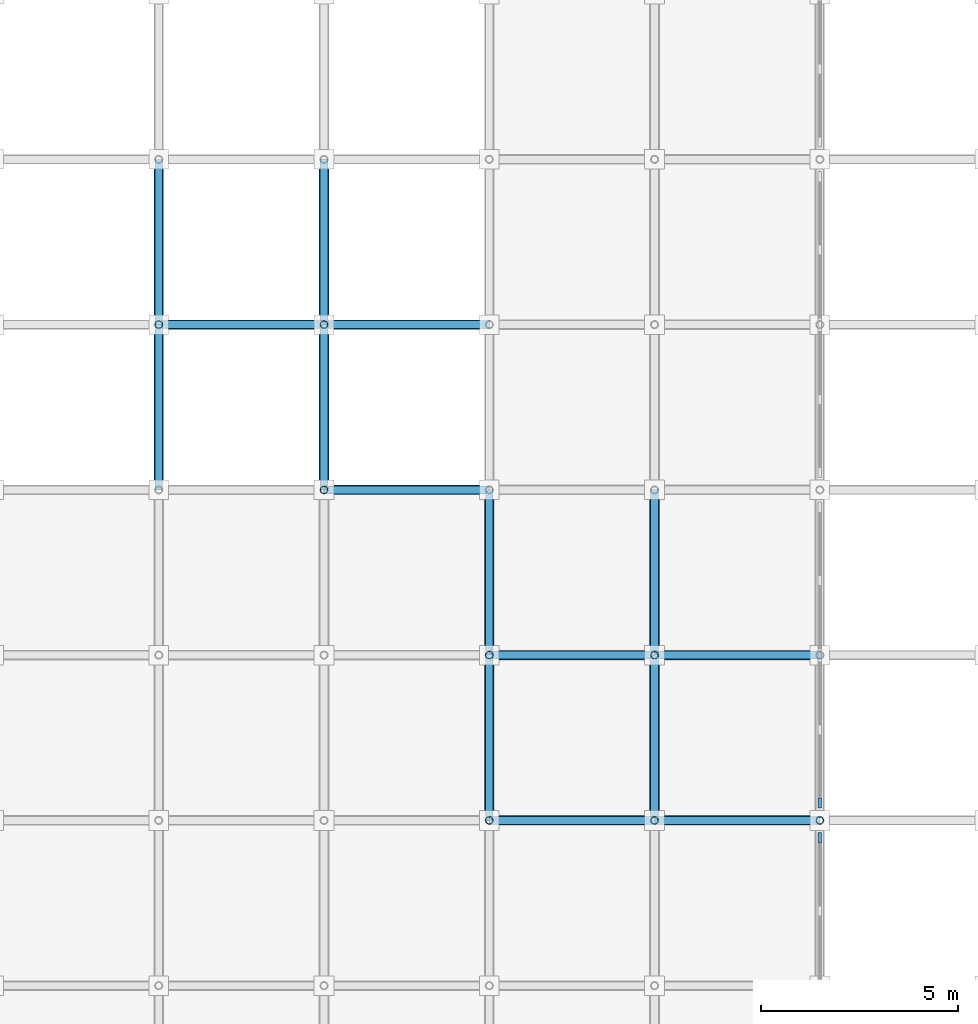
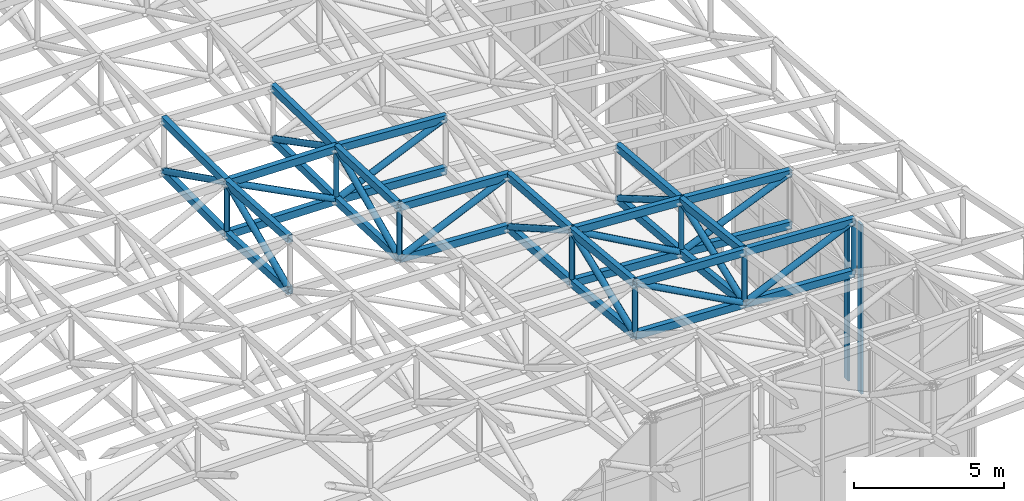
# One storey, part 38 of 123: 55 members, 2 elements without a shape of their own.
"""IFC4 building model written with IfcOpenShell, lengths in metres."""

from ifc_helpers import new_model, si_unit, direction, frame, origin, origin_2d, place, context, subcontext, project, spatial, rectangle, hollow_rectangle, hollow_circle, extrude, material, material_profile, profile_set, type_object, element, aggregate, save


model = new_model("IFC4")

# Units and contexts
model_context = context("Model", 3, precision=1e-05, world=origin(), true_north=direction((0.0, 1.0)))
body_context = subcontext(model_context, "Body", "Model", "MODEL_VIEW")
ifc_project = project(units=[si_unit("LENGTHUNIT", "METRE"), si_unit("AREAUNIT", "SQUARE_METRE"), si_unit("VOLUMEUNIT", "CUBIC_METRE"), si_unit("PLANEANGLEUNIT", "RADIAN"), si_unit("MASSUNIT", "GRAM", prefix="KILO")], contexts=[model_context])

# Site, building, storey
site_placement = place(None, origin())
site = spatial("IfcSite", under=ifc_project, at=site_placement, CompositionType="ELEMENT")
building_placement = place(site_placement, origin())
building = spatial("IfcBuilding", under=site, at=building_placement, Name="Cumbredor Promenade Congress Hotel", CompositionType="ELEMENT")
storey_placement = place(building_placement, frame((0.0, 0.0, 11.760009765625)))
storey = spatial("IfcBuildingStorey", under=building, at=storey_placement, Name="L03", CompositionType="ELEMENT", Elevation=11.760009765625)

# Members
ifc_material_1 = material(Name="Steel ASTM A500 Grade C", Category="steel")
ifc_material_profile_1 = material_profile(ifc_material_1, hollow_rectangle(XDim=0.199951171875, YDim=0.300048828125, WallThickness=0.012451171875, at=origin_2d()), Name="HSS 300x200x12.5")
ifc_profile_set_1 = profile_set([ifc_material_profile_1], Name="Steel ASTM A500 Grade C")
member_type_1 = type_object("IfcMemberType", Name="Ballroom Roof Space Frame Chord", PredefinedType="CHORD", material=ifc_profile_set_1)
for number, where, z_axis, x_axis, name in (
    (1, (176.39990234375, 16.800048828125, 7.09130859375), (0.999137496102, 0.0, -0.041524256552), (0.0, 1.0, 0.0), "Grand Ballroom Pavilion X Top Chord 10.5"),
    (2, (176.39990234375, 16.800048828125, 4.9912109375), (0.999137496102, 0.0, -0.041524256552), (0.0, 1.0, 0.0), "Grand Ballroom Pavilion X Bottom Chord 10.5"),
):
    element("IfcMember", number, at=place(storey_placement, frame(where, z_axis=z_axis, x_axis=x_axis)), inside=storey, type_object=member_type_1, Name=name, PredefinedType="CHORD", context=body_context, shape_type="SweptSolid", body=[
        extrude(hollow_rectangle(XDim=0.199951171875, YDim=0.300048828125, WallThickness=0.012451171875, at=origin_2d()), origin(), (0.0, 0.0, 1.0), 4.203857421875),
    ])
for number, where, z_axis, x_axis, name in (
    (3, (180.60009765625, 16.800048828125, 6.916748046875), (0.998569958899, 0.0, -0.05346061339), (0.0, 1.0, 0.0), "Grand Ballroom Pavilion X Top Chord 11.5"),
    (4, (180.60009765625, 16.800048828125, 4.816650390625), (0.998573055983, 0.0, -0.05340273275), (0.0, 1.0, 0.0), "Grand Ballroom Pavilion X Bottom Chord 11.5"),
):
    element("IfcMember", number, at=place(storey_placement, frame(where, z_axis=z_axis, x_axis=x_axis)), inside=storey, type_object=member_type_1, Name=name, PredefinedType="CHORD", context=body_context, shape_type="SweptSolid", body=[
        extrude(hollow_rectangle(XDim=0.199951171875, YDim=0.300048828125, WallThickness=0.012451171875, at=origin_2d()), origin(), (0.0, 0.0, 1.0), 4.2060546875),
    ])
for number, where, z_axis, x_axis, name in (
    (5, (176.39990234375, 21.0, 6.68212890625), (0.998209144238, 0.0, -0.059820601471), (0.0, 1.0, 0.0), "Grand Ballroom Pavilion X Top Chord 10.6"),
    (6, (176.39990234375, 21.0, 4.582275390625), (0.998205677885, 0.0, -0.05987841546), (0.0, 1.0, 0.0), "Grand Ballroom Pavilion X Bottom Chord 10.6"),
):
    element("IfcMember", number, at=place(storey_placement, frame(where, z_axis=z_axis, x_axis=x_axis)), inside=storey, type_object=member_type_1, Name=name, PredefinedType="CHORD", context=body_context, shape_type="SweptSolid", body=[
        extrude(hollow_rectangle(XDim=0.199951171875, YDim=0.300048828125, WallThickness=0.012451171875, at=origin_2d()), origin(), (0.0, 0.0, 1.0), 4.207763671875),
    ])
for number, where, z_axis, x_axis, name in (
    (7, (180.60009765625, 21.0, 6.430419921875), (0.997042541012, 0.0, -0.076851619449), (0.0, 1.0, 0.0), "Grand Ballroom Pavilion X Top Chord 11.6"),
    (8, (180.60009765625, 21.0, 4.330322265625), (0.997042541012, 0.0, -0.076851619449), (0.0, 1.0, 0.0), "Grand Ballroom Pavilion X Bottom Chord 11.6"),
):
    element("IfcMember", number, at=place(storey_placement, frame(where, z_axis=z_axis, x_axis=x_axis)), inside=storey, type_object=member_type_1, Name=name, PredefinedType="CHORD", context=body_context, shape_type="SweptSolid", body=[
        extrude(hollow_rectangle(XDim=0.199951171875, YDim=0.300048828125, WallThickness=0.012451171875, at=origin_2d()), origin(), (0.0, 0.0, 1.0), 4.21240234375),
    ])
for number, where, z_axis, x_axis, name in (
    (9, (172.199951171875, 25.199951171875, 6.5966796875), (0.998616064852, 0.0, -0.052592347541), (0.0, 1.0, 0.0), "Grand Ballroom Pavilion X Top Chord 9.7"),
    (10, (172.199951171875, 25.199951171875, 4.49658203125), (0.998616064852, 0.0, -0.052592347541), (0.0, 1.0, 0.0), "Grand Ballroom Pavilion X Bottom Chord 9.7"),
):
    element("IfcMember", number, at=place(storey_placement, frame(where, z_axis=z_axis, x_axis=x_axis)), inside=storey, type_object=member_type_1, Name=name, PredefinedType="CHORD", context=body_context, shape_type="SweptSolid", body=[
        extrude(hollow_rectangle(XDim=0.199951171875, YDim=0.300048828125, WallThickness=0.012451171875, at=origin_2d()), origin(), (0.0, 0.0, 1.0), 4.205810546875),
    ])
for number, where, z_axis, x_axis, name in (
    (11, (168.0, 29.39990234375, 6.48876953125), (0.999864716024, 0.0, -0.016448393573), (0.0, 1.0, 0.0), "Grand Ballroom Pavilion X Top Chord 8.8"),
    (12, (168.0, 29.39990234375, 4.388671875), (0.999865670213, 0.0, -0.016390287682), (0.0, 1.0, 0.0), "Grand Ballroom Pavilion X Bottom Chord 8.8"),
):
    element("IfcMember", number, at=place(storey_placement, frame(where, z_axis=z_axis, x_axis=x_axis)), inside=storey, type_object=member_type_1, Name=name, PredefinedType="CHORD", context=body_context, shape_type="SweptSolid", body=[
        extrude(hollow_rectangle(XDim=0.199951171875, YDim=0.300048828125, WallThickness=0.012451171875, at=origin_2d()), origin(), (0.0, 0.0, 1.0), 4.200439453125),
    ])
for number, where, z_axis, x_axis, name in (
    (13, (172.199951171875, 29.39990234375, 6.419677734375), (0.998250278263, 0.0, -0.059130211797), (0.0, 1.0, 0.0), "Grand Ballroom Pavilion X Top Chord 9.8"),
    (14, (172.199951171875, 29.39990234375, 4.31982421875), (0.998246851415, 0.0, -0.059188036298), (0.0, 1.0, 0.0), "Grand Ballroom Pavilion X Bottom Chord 9.8"),
):
    element("IfcMember", number, at=place(storey_placement, frame(where, z_axis=z_axis, x_axis=x_axis)), inside=storey, type_object=member_type_1, Name=name, PredefinedType="CHORD", context=body_context, shape_type="SweptSolid", body=[
        extrude(hollow_rectangle(XDim=0.199951171875, YDim=0.300048828125, WallThickness=0.012451171875, at=origin_2d()), origin(), (0.0, 0.0, 1.0), 4.207275390625),
    ])
for number, where, z_axis, x_axis, name in (
    (15, (168.0, 25.199951171875, 6.7294921875), (0.0, 0.998361497738, -0.057221672776), (-1.0, 0.0, 0.0), "Grand Ballroom Pavilion Y Top Chord 8.7"),
    (16, (168.0, 25.199951171875, 4.62939453125), (0.0, 0.998361497738, -0.057221672776), (-1.0, 0.0, 0.0), "Grand Ballroom Pavilion Y Bottom Chord 8.7"),
):
    element("IfcMember", number, at=place(storey_placement, frame(where, z_axis=z_axis, x_axis=x_axis)), inside=storey, type_object=member_type_1, Name=name, PredefinedType="CHORD", context=body_context, shape_type="SweptSolid", body=[
        extrude(hollow_rectangle(XDim=0.199951171875, YDim=0.300048828125, WallThickness=0.012451171875, at=origin_2d()), origin(), (0.0, 0.0, 1.0), 4.206787109375),
    ])
for number, where, z_axis, x_axis, name in (
    (17, (168.0, 29.39990234375, 6.48876953125), (0.0, 0.999999998311, 5.8126017e-05), (-1.0, 0.0, 0.0), "Grand Ballroom Pavilion Y Top Chord 8.8"),
    (18, (168.0, 29.39990234375, 4.388671875), (0.0, 0.999999993243, 0.000116252034), (-1.0, 0.0, 0.0), "Grand Ballroom Pavilion Y Bottom Chord 8.8"),
):
    element("IfcMember", number, at=place(storey_placement, frame(where, z_axis=z_axis, x_axis=x_axis)), inside=storey, type_object=member_type_1, Name=name, PredefinedType="CHORD", context=body_context, shape_type="SweptSolid", body=[
        extrude(hollow_rectangle(XDim=0.199951171875, YDim=0.300048828125, WallThickness=0.012451171875, at=origin_2d()), origin(), (0.0, 0.0, 1.0), 4.2001953125),
    ])
for number, where, z_axis, x_axis, name in (
    (19, (172.199951171875, 25.199951171875, 6.5966796875), (0.0, 0.999113130752, -0.042106436075), (-1.0, 0.0, 0.0), "Grand Ballroom Pavilion Y Top Chord 9.7"),
    (20, (172.199951171875, 25.199951171875, 4.49658203125), (0.0, 0.999115572358, -0.042048460989), (-1.0, 0.0, 0.0), "Grand Ballroom Pavilion Y Bottom Chord 9.7"),
):
    element("IfcMember", number, at=place(storey_placement, frame(where, z_axis=z_axis, x_axis=x_axis)), inside=storey, type_object=member_type_1, Name=name, PredefinedType="CHORD", context=body_context, shape_type="SweptSolid", body=[
        extrude(hollow_rectangle(XDim=0.199951171875, YDim=0.300048828125, WallThickness=0.012451171875, at=origin_2d()), origin(), (0.0, 0.0, 1.0), 4.20361328125),
    ])
for number, where, z_axis, x_axis, name in (
    (21, (172.199951171875, 29.39990234375, 6.419677734375), (0.0, 0.999778698634, -0.021036961689), (-1.0, 0.0, 0.0), "Grand Ballroom Pavilion Y Top Chord 9.8"),
    (22, (172.199951171875, 29.39990234375, 4.31982421875), (0.0, 0.999778698634, -0.021036961689), (-1.0, 0.0, 0.0), "Grand Ballroom Pavilion Y Bottom Chord 9.8"),
):
    element("IfcMember", number, at=place(storey_placement, frame(where, z_axis=z_axis, x_axis=x_axis)), inside=storey, type_object=member_type_1, Name=name, PredefinedType="CHORD", context=body_context, shape_type="SweptSolid", body=[
        extrude(hollow_rectangle(XDim=0.199951171875, YDim=0.300048828125, WallThickness=0.012451171875, at=origin_2d()), origin(), (0.0, 0.0, 1.0), 4.201171875),
    ])
for number, where, z_axis, x_axis, name in (
    (23, (176.39990234375, 16.800048828125, 7.09130859375), (0.0, 0.995287716513, -0.09696577416), (-1.0, 0.0, 0.0), "Grand Ballroom Pavilion Y Top Chord 10.5"),
    (24, (176.39990234375, 16.800048828125, 4.9912109375), (0.0, 0.995293298459, -0.096908462182), (-1.0, 0.0, 0.0), "Grand Ballroom Pavilion Y Bottom Chord 10.5"),
):
    element("IfcMember", number, at=place(storey_placement, frame(where, z_axis=z_axis, x_axis=x_axis)), inside=storey, type_object=member_type_1, Name=name, PredefinedType="CHORD", context=body_context, shape_type="SweptSolid", body=[
        extrude(hollow_rectangle(XDim=0.199951171875, YDim=0.300048828125, WallThickness=0.012451171875, at=origin_2d()), origin(), (0.0, 0.0, 1.0), 4.2197265625),
    ])
for number, where, z_axis, x_axis, name in (
    (25, (176.39990234375, 21.0, 6.68212890625), (0.0, 0.997345340249, -0.072816703328), (-1.0, 0.0, 0.0), "Grand Ballroom Pavilion Y Top Chord 10.6"),
    (26, (176.39990234375, 21.0, 4.582275390625), (0.0, 0.997341128252, -0.072874370645), (-1.0, 0.0, 0.0), "Grand Ballroom Pavilion Y Bottom Chord 10.6"),
):
    element("IfcMember", number, at=place(storey_placement, frame(where, z_axis=z_axis, x_axis=x_axis)), inside=storey, type_object=member_type_1, Name=name, PredefinedType="CHORD", context=body_context, shape_type="SweptSolid", body=[
        extrude(hollow_rectangle(XDim=0.199951171875, YDim=0.300048828125, WallThickness=0.012451171875, at=origin_2d()), origin(), (0.0, 0.0, 1.0), 4.211181640625),
    ])
for number, where, z_axis, x_axis, name in (
    (27, (180.60009765625, 16.800048828125, 6.916748046875), (0.0, 0.993362575752, -0.115025184613), (-1.0, 0.0, 0.0), "Grand Ballroom Pavilion Y Top Chord 11.5"),
    (28, (180.60009765625, 16.800048828125, 4.816650390625), (0.0, 0.993362575752, -0.115025184613), (-1.0, 0.0, 0.0), "Grand Ballroom Pavilion Y Bottom Chord 11.5"),
):
    element("IfcMember", number, at=place(storey_placement, frame(where, z_axis=z_axis, x_axis=x_axis)), inside=storey, type_object=member_type_1, Name=name, PredefinedType="CHORD", context=body_context, shape_type="SweptSolid", body=[
        extrude(hollow_rectangle(XDim=0.199951171875, YDim=0.300048828125, WallThickness=0.012451171875, at=origin_2d()), origin(), (0.0, 0.0, 1.0), 4.22802734375),
    ])
for number, where, z_axis, x_axis, name in (
    (29, (180.60009765625, 21.0, 6.430419921875), (0.0, 0.996250143488, -0.086519660197), (-1.0, 0.0, 0.0), "Grand Ballroom Pavilion Y Top Chord 11.6"),
    (30, (180.60009765625, 21.0, 4.330322265625), (0.0, 0.996250143488, -0.086519660197), (-1.0, 0.0, 0.0), "Grand Ballroom Pavilion Y Bottom Chord 11.6"),
):
    element("IfcMember", number, at=place(storey_placement, frame(where, z_axis=z_axis, x_axis=x_axis)), inside=storey, type_object=member_type_1, Name=name, PredefinedType="CHORD", context=body_context, shape_type="SweptSolid", body=[
        extrude(hollow_rectangle(XDim=0.199951171875, YDim=0.300048828125, WallThickness=0.012451171875, at=origin_2d()), origin(), (0.0, 0.0, 1.0), 4.2158203125),
    ])

# Curtain wall, member
ifc_material_2 = material(Name="Thermally broken anodized aluminium and low-E glass", Category="aluminium")
curtain_wall_type = type_object("IfcCurtainWallType", Name="Stepped Pavilion Clerestory Curtain Wall CW-06", PredefinedType="NOTDEFINED", material=ifc_material_2)
curtain_wall_1_placement = place(storey_placement, origin())
curtain_wall_1 = element("IfcCurtainWall", 31, at=curtain_wall_1_placement, inside=storey, type_object=curtain_wall_type, Name="Grand Ballroom Pavilion E Glazed Clerestory 2", PredefinedType="NOTDEFINED")
ifc_material_3 = material(Name="Thermally broken anodized aluminium", Category="aluminium")
ifc_material_profile_2 = material_profile(ifc_material_3, rectangle(XDim=0.0849609375, YDim=0.260009765625, at=origin_2d()), Name="ALU MULLION CLERESTORY 85x260")
ifc_profile_set_2 = profile_set([ifc_material_profile_2], Name="Thermally broken anodized aluminium")
member_type_2 = type_object("IfcMemberType", Name="Curtain Wall Mullion ML-04", PredefinedType="MULLION", material=ifc_profile_set_2)
member_1_placement = place(storey_placement, frame((184.800048828125, 16.360107421875, -0.01806640625), z_axis=(0.0, 0.0, 1.0), x_axis=(1.0, 0.0, 0.0)))
member_1 = element("IfcMember", 32, at=member_1_placement, type_object=member_type_2, Name="Grand Ballroom Pavilion E Glazed Clerestory 2 Mullion 3", PredefinedType="MULLION", context=body_context, shape_type="SweptSolid", body=[
    extrude(rectangle(XDim=0.0849609375, YDim=0.260009765625, at=origin_2d()), origin(), (0.0, 0.0, 1.0), 6.885986328125),
])
aggregate(curtain_wall_1, [member_1])

curtain_wall_2_placement = place(storey_placement, origin())
curtain_wall_2 = element("IfcCurtainWall", 33, at=curtain_wall_2_placement, inside=storey, type_object=curtain_wall_type, Name="Grand Ballroom Pavilion E Glazed Clerestory 3", PredefinedType="NOTDEFINED")
member_2_placement = place(storey_placement, frame((184.800048828125, 17.239990234375, -0.01806640625), z_axis=(0.0, 0.0, 1.0), x_axis=(1.0, 0.0, 0.0)))
member_2 = element("IfcMember", 34, at=member_2_placement, type_object=member_type_2, Name="Grand Ballroom Pavilion E Glazed Clerestory 3 Mullion 1", PredefinedType="MULLION", context=body_context, shape_type="SweptSolid", body=[
    extrude(rectangle(XDim=0.0849609375, YDim=0.260009765625, at=origin_2d()), origin(), (0.0, 0.0, 1.0), 6.300537109375),
])
aggregate(curtain_wall_2, [member_2])

# Members
ifc_material_profile_3 = material_profile(ifc_material_1, hollow_circle(Radius=0.122314453125, WallThickness=0.012451171875, at=origin_2d()), Name="CHS 244.5x12.5")
ifc_profile_set_3 = profile_set([ifc_material_profile_3], Name="Steel ASTM A500 Grade C")
member_type_3 = type_object("IfcMemberType", Name="Space Frame Web Diagonal D2", PredefinedType="BRACE", material=ifc_profile_set_3)
member_3_placement = place(storey_placement, frame((176.39990234375, 16.800048828125, 7.09130859375), z_axis=(0.879331206607, 0.0, -0.476210698207), x_axis=(0.0, 1.0, 0.0)))
element("IfcMember", 35, at=member_3_placement, inside=storey, type_object=member_type_3, Name="Grand Ballroom Pavilion X Web Diagonal 10.5", PredefinedType="BRACE", context=body_context, shape_type="SweptSolid", body=[
    extrude(hollow_circle(Radius=0.122314453125, WallThickness=0.012451171875, at=origin_2d()), origin(), (0.0, 0.0, 1.0), 4.776611328125),
])
member_4_placement = place(storey_placement, frame((180.60009765625, 16.800048828125, 4.816650390625), z_axis=(0.913116358877, 0.0, 0.407699049732), x_axis=(0.0, 1.0, 0.0)))
element("IfcMember", 36, at=member_4_placement, inside=storey, type_object=member_type_3, Name="Grand Ballroom Pavilion X Web Diagonal 11.5", PredefinedType="BRACE", context=body_context, shape_type="SweptSolid", body=[
    extrude(hollow_circle(Radius=0.122314453125, WallThickness=0.012451171875, at=origin_2d()), origin(), (0.0, 0.0, 1.0), 4.599609375),
])
member_5_placement = place(storey_placement, frame((176.39990234375, 21.0, 6.68212890625), z_axis=(0.872532824766, 0.0, -0.488555492965), x_axis=(0.0, 1.0, 0.0)))
element("IfcMember", 37, at=member_5_placement, inside=storey, type_object=member_type_3, Name="Grand Ballroom Pavilion X Web Diagonal 10.6", PredefinedType="BRACE", context=body_context, shape_type="SweptSolid", body=[
    extrude(hollow_circle(Radius=0.122314453125, WallThickness=0.012451171875, at=origin_2d()), origin(), (0.0, 0.0, 1.0), 4.813720703125),
])
member_6_placement = place(storey_placement, frame((180.60009765625, 21.0, 4.330322265625), z_axis=(0.921009363818, 0.0, 0.389540436618), x_axis=(0.0, 1.0, 0.0)))
element("IfcMember", 38, at=member_6_placement, inside=storey, type_object=member_type_3, Name="Grand Ballroom Pavilion X Web Diagonal 11.6", PredefinedType="BRACE", context=body_context, shape_type="SweptSolid", body=[
    extrude(hollow_circle(Radius=0.122314453125, WallThickness=0.012451171875, at=origin_2d()), origin(), (0.0, 0.0, 1.0), 4.56005859375),
])
member_7_placement = place(storey_placement, frame((172.199951171875, 25.199951171875, 4.49658203125), z_axis=(0.912819813426, 0.0, 0.408362569559), x_axis=(0.0, 1.0, 0.0)))
element("IfcMember", 39, at=member_7_placement, inside=storey, type_object=member_type_3, Name="Grand Ballroom Pavilion X Web Diagonal 9.7", PredefinedType="BRACE", context=body_context, shape_type="SweptSolid", body=[
    extrude(hollow_circle(Radius=0.122314453125, WallThickness=0.012451171875, at=origin_2d()), origin(), (0.0, 0.0, 1.0), 4.60107421875),
])
member_8_placement = place(storey_placement, frame((168.0, 29.39990234375, 6.48876953125), z_axis=(0.888514704461, 0.0, -0.458848144767), x_axis=(0.0, 1.0, 0.0)))
element("IfcMember", 40, at=member_8_placement, inside=storey, type_object=member_type_3, Name="Grand Ballroom Pavilion X Web Diagonal 8.8", PredefinedType="BRACE", context=body_context, shape_type="SweptSolid", body=[
    extrude(hollow_circle(Radius=0.122314453125, WallThickness=0.012451171875, at=origin_2d()), origin(), (0.0, 0.0, 1.0), 4.72705078125),
])
member_9_placement = place(storey_placement, frame((172.199951171875, 29.39990234375, 4.31982421875), z_axis=(0.915066223457, 0.0, 0.403303616012), x_axis=(0.0, 1.0, 0.0)))
element("IfcMember", 41, at=member_9_placement, inside=storey, type_object=member_type_3, Name="Grand Ballroom Pavilion X Web Diagonal 9.8", PredefinedType="BRACE", context=body_context, shape_type="SweptSolid", body=[
    extrude(hollow_circle(Radius=0.122314453125, WallThickness=0.012451171875, at=origin_2d()), origin(), (0.0, 0.0, 1.0), 4.58984375),
])
member_10_placement = place(storey_placement, frame((168.0, 25.199951171875, 4.62939453125), z_axis=(0.0, 0.914398020094, 0.40481632977), x_axis=(-1.0, 0.0, 0.0)))
element("IfcMember", 42, at=member_10_placement, inside=storey, type_object=member_type_3, Name="Grand Ballroom Pavilion Y Web Diagonal 8.7", PredefinedType="BRACE", context=body_context, shape_type="SweptSolid", body=[
    extrude(hollow_circle(Radius=0.122314453125, WallThickness=0.012451171875, at=origin_2d()), origin(), (0.0, 0.0, 1.0), 4.593017578125),
])
member_11_placement = place(storey_placement, frame((168.0, 29.39990234375, 6.48876953125), z_axis=(0.0, 0.894468780658, -0.447130406513), x_axis=(-1.0, 0.0, 0.0)))
element("IfcMember", 43, at=member_11_placement, inside=storey, type_object=member_type_3, Name="Grand Ballroom Pavilion Y Web Diagonal 8.8", PredefinedType="BRACE", context=body_context, shape_type="SweptSolid", body=[
    extrude(hollow_circle(Radius=0.122314453125, WallThickness=0.012451171875, at=origin_2d()), origin(), (0.0, 0.0, 1.0), 4.69580078125),
])
member_12_placement = place(storey_placement, frame((172.199951171875, 25.199951171875, 4.49658203125), z_axis=(0.0, 0.909219071228, 0.416318004073), x_axis=(-1.0, 0.0, 0.0)))
element("IfcMember", 44, at=member_12_placement, inside=storey, type_object=member_type_3, Name="Grand Ballroom Pavilion Y Web Diagonal 9.7", PredefinedType="BRACE", context=body_context, shape_type="SweptSolid", body=[
    extrude(hollow_circle(Radius=0.122314453125, WallThickness=0.012451171875, at=origin_2d()), origin(), (0.0, 0.0, 1.0), 4.619384765625),
])
member_13_placement = place(storey_placement, frame((172.199951171875, 29.39990234375, 6.419677734375), z_axis=(0.0, 0.886859518815, -0.462039169213), x_axis=(-1.0, 0.0, 0.0)))
element("IfcMember", 45, at=member_13_placement, inside=storey, type_object=member_type_3, Name="Grand Ballroom Pavilion Y Web Diagonal 9.8", PredefinedType="BRACE", context=body_context, shape_type="SweptSolid", body=[
    extrude(hollow_circle(Radius=0.122314453125, WallThickness=0.012451171875, at=origin_2d()), origin(), (0.0, 0.0, 1.0), 4.736083984375),
])
member_14_placement = place(storey_placement, frame((176.39990234375, 16.800048828125, 4.9912109375), z_axis=(0.0, 0.927641334383, 0.37347229448), x_axis=(-1.0, 0.0, 0.0)))
element("IfcMember", 46, at=member_14_placement, inside=storey, type_object=member_type_3, Name="Grand Ballroom Pavilion Y Web Diagonal 10.5", PredefinedType="BRACE", context=body_context, shape_type="SweptSolid", body=[
    extrude(hollow_circle(Radius=0.122314453125, WallThickness=0.012451171875, at=origin_2d()), origin(), (0.0, 0.0, 1.0), 4.527587890625),
])
member_15_placement = place(storey_placement, frame((176.39990234375, 21.0, 6.68212890625), z_axis=(0.0, 0.867640381506, -0.497192285118), x_axis=(-1.0, 0.0, 0.0)))
element("IfcMember", 47, at=member_15_placement, inside=storey, type_object=member_type_3, Name="Grand Ballroom Pavilion Y Web Diagonal 10.6", PredefinedType="BRACE", context=body_context, shape_type="SweptSolid", body=[
    extrude(hollow_circle(Radius=0.122314453125, WallThickness=0.012451171875, at=origin_2d()), origin(), (0.0, 0.0, 1.0), 4.840576171875),
])
member_16_placement = place(storey_placement, frame((180.60009765625, 16.800048828125, 4.816650390625), z_axis=(0.0, 0.933464427363, 0.358669991564), x_axis=(-1.0, 0.0, 0.0)))
element("IfcMember", 48, at=member_16_placement, inside=storey, type_object=member_type_3, Name="Grand Ballroom Pavilion Y Web Diagonal 11.5", PredefinedType="BRACE", context=body_context, shape_type="SweptSolid", body=[
    extrude(hollow_circle(Radius=0.122314453125, WallThickness=0.012451171875, at=origin_2d()), origin(), (0.0, 0.0, 1.0), 4.499267578125),
])
member_17_placement = place(storey_placement, frame((180.60009765625, 21.0, 6.430419921875), z_axis=(0.0, 0.862446708153, -0.506147879179), x_axis=(-1.0, 0.0, 0.0)))
element("IfcMember", 49, at=member_17_placement, inside=storey, type_object=member_type_3, Name="Grand Ballroom Pavilion Y Web Diagonal 11.6", PredefinedType="BRACE", context=body_context, shape_type="SweptSolid", body=[
    extrude(hollow_circle(Radius=0.122314453125, WallThickness=0.012451171875, at=origin_2d()), origin(), (0.0, 0.0, 1.0), 4.869873046875),
])
ifc_material_profile_4 = material_profile(ifc_material_1, hollow_circle(Radius=0.096923828125, WallThickness=0.010009765625, at=origin_2d()), Name="CHS 193.7x10")
ifc_profile_set_4 = profile_set([ifc_material_profile_4], Name="Steel ASTM A500 Grade C")
member_type_4 = type_object("IfcMemberType", Name="Space Frame Web Post P1", PredefinedType="BRACE", material=ifc_profile_set_4)
for number, where, z_axis, x_axis, name in (
    (50, (168.0, 29.39990234375, 4.388671875), (0.0, 0.0, 1.0), (1.0, 0.0, 0.0), "Grand Ballroom Pavilion Space Frame Web Post 8.8"),
    (51, (172.199951171875, 25.199951171875, 4.49658203125), (0.0, 0.0, 1.0), (1.0, 0.0, 0.0), "Grand Ballroom Pavilion Space Frame Web Post 9.7"),
):
    element("IfcMember", number, at=place(storey_placement, frame(where, z_axis=z_axis, x_axis=x_axis)), inside=storey, type_object=member_type_4, Name=name, PredefinedType="BRACE", context=body_context, shape_type="SweptSolid", body=[
        extrude(hollow_circle(Radius=0.096923828125, WallThickness=0.010009765625, at=origin_2d()), origin(), (0.0, 0.0, 1.0), 2.10009765625),
    ])
member_18_placement = place(storey_placement, frame((172.199951171875, 29.39990234375, 4.31982421875), z_axis=(0.0, 0.0, 1.0), x_axis=(1.0, 0.0, 0.0)))
element("IfcMember", 52, at=member_18_placement, inside=storey, type_object=member_type_4, Name="Grand Ballroom Pavilion Space Frame Web Post 9.8", PredefinedType="BRACE", context=body_context, shape_type="SweptSolid", body=[
    extrude(hollow_circle(Radius=0.096923828125, WallThickness=0.010009765625, at=origin_2d()), origin(), (0.0, 0.0, 1.0), 2.099853515625),
])
member_19_placement = place(storey_placement, frame((176.39990234375, 16.800048828125, 4.9912109375), z_axis=(0.0, 0.0, 1.0), x_axis=(1.0, 0.0, 0.0)))
element("IfcMember", 53, at=member_19_placement, inside=storey, type_object=member_type_4, Name="Grand Ballroom Pavilion Space Frame Web Post 10.5", PredefinedType="BRACE", context=body_context, shape_type="SweptSolid", body=[
    extrude(hollow_circle(Radius=0.096923828125, WallThickness=0.010009765625, at=origin_2d()), origin(), (0.0, 0.0, 1.0), 2.10009765625),
])
member_20_placement = place(storey_placement, frame((176.39990234375, 21.0, 4.582275390625), z_axis=(0.0, 0.0, 1.0), x_axis=(1.0, 0.0, 0.0)))
element("IfcMember", 54, at=member_20_placement, inside=storey, type_object=member_type_4, Name="Grand Ballroom Pavilion Space Frame Web Post 10.6", PredefinedType="BRACE", context=body_context, shape_type="SweptSolid", body=[
    extrude(hollow_circle(Radius=0.096923828125, WallThickness=0.010009765625, at=origin_2d()), origin(), (0.0, 0.0, 1.0), 2.099853515625),
])
for number, where, z_axis, x_axis, name in (
    (55, (180.60009765625, 16.800048828125, 4.816650390625), (0.0, 0.0, 1.0), (1.0, 0.0, 0.0), "Grand Ballroom Pavilion Space Frame Web Post 11.5"),
    (56, (180.60009765625, 21.0, 4.330322265625), (0.0, 0.0, 1.0), (1.0, 0.0, 0.0), "Grand Ballroom Pavilion Space Frame Web Post 11.6"),
):
    element("IfcMember", number, at=place(storey_placement, frame(where, z_axis=z_axis, x_axis=x_axis)), inside=storey, type_object=member_type_4, Name=name, PredefinedType="BRACE", context=body_context, shape_type="SweptSolid", body=[
        extrude(hollow_circle(Radius=0.096923828125, WallThickness=0.010009765625, at=origin_2d()), origin(), (0.0, 0.0, 1.0), 2.10009765625),
    ])
member_21_placement = place(storey_placement, frame((184.800048828125, 16.800048828125, 4.592041015625), z_axis=(0.0, 0.0, 1.0), x_axis=(1.0, 0.0, 0.0)))
element("IfcMember", 57, at=member_21_placement, inside=storey, type_object=member_type_4, Name="Grand Ballroom Pavilion Space Frame Web Post 12.5", PredefinedType="BRACE", context=body_context, shape_type="SweptSolid", body=[
    extrude(hollow_circle(Radius=0.096923828125, WallThickness=0.010009765625, at=origin_2d()), origin(), (0.0, 0.0, 1.0), 2.099853515625),
])

save(model, "model.ifc")
